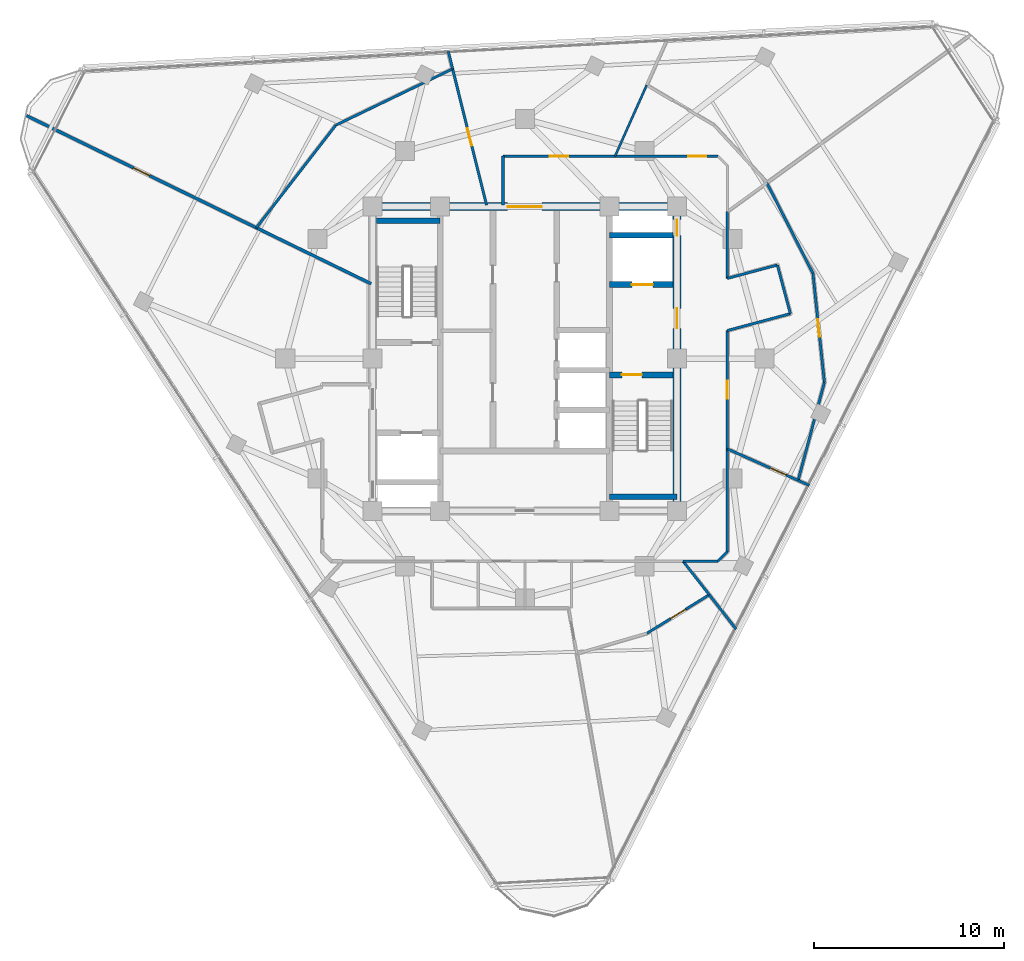
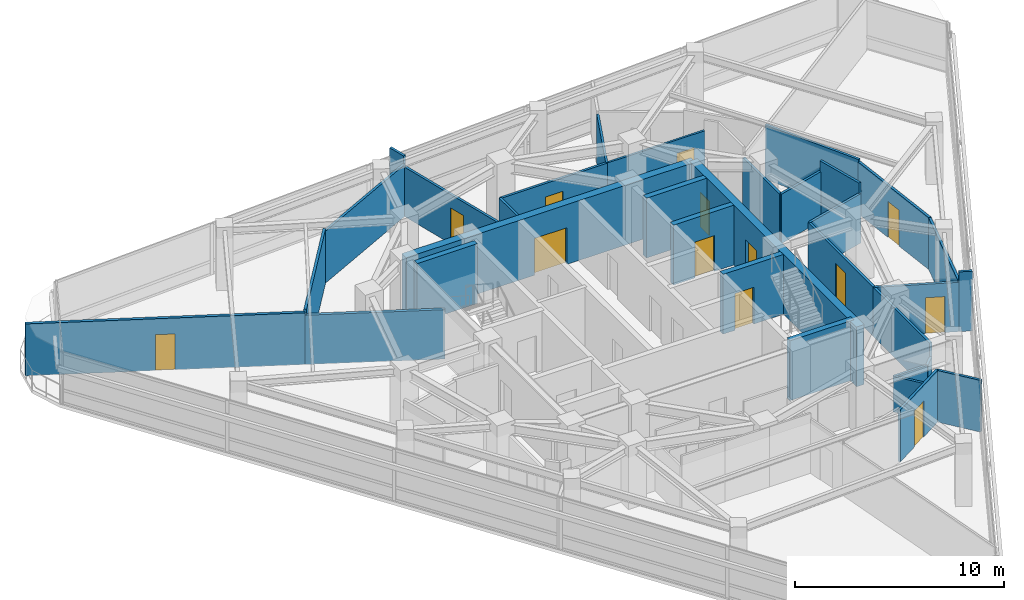
# One storey, part 9 of 15: 33 walls, 13 doors, 13 openings.
"""IFC4 building model written with IfcOpenShell, lengths in metres."""

import ifcopenshell
import ifcopenshell.guid

model = None  # the IFC model being written
_history = None  # IfcOwnerHistory: only IFC2X3 demands one
_inside = {}  # id of a spatial element -> (the spatial element, [elements in it])
_under = {}  # id of a project, library or spatial element -> (it, [spatial elements below it])
_declared = {}  # id of a project -> (the project, [libraries it declares])
_typed = {}  # id of a type object -> (the type object, [elements of that type])
_made_of = {}  # id of a material, layer set ... -> (it, [elements and type objects made of it])


def new_model(schema):
    """Start an empty IFC model of exactly this schema.

    Asked for "IFC4X3", IfcOpenShell would pick the latest addendum, in which some entities
    have other attributes; the version numbers below select the first issue.
    IFC2X3 requires an IfcOwnerHistory on every rooted entity: one is made here for all.
    """
    global model, _history
    if schema == "IFC4X3":
        model = ifcopenshell.file(schema_version=(4, 3, 0, 0))
    else:
        model = ifcopenshell.file(schema=schema)
    _inside.clear()
    _under.clear()
    _declared.clear()
    _typed.clear()
    _made_of.clear()
    _history = None
    if model.schema == "IFC2X3":
        org = make("IfcOrganization", Name="unknown")
        user = make(
            "IfcPersonAndOrganization",
            ThePerson=make("IfcPerson", FamilyName="unknown"),
            TheOrganization=org,
        )
        app = make(
            "IfcApplication",
            ApplicationDeveloper=org,
            Version="unknown",
            ApplicationFullName="unknown",
            ApplicationIdentifier="unknown",
        )
        _history = make(
            "IfcOwnerHistory",
            OwningUser=user,
            OwningApplication=app,
            ChangeAction="ADDED",
            CreationDate=0,
        )
    return model


def make(cls, **values):
    """One entity of the class cls with the attributes given. An attribute that is None is left unset."""
    return model.create_entity(
        cls, **{name: value for name, value in values.items() if value is not None}
    )


def rooted(cls, **values):
    """An entity with a GlobalId (a new one), such as an element, a storey or a relation."""
    return make(cls, GlobalId=ifcopenshell.guid.new(), OwnerHistory=_history, **values)


def si_unit(unit_type, name, prefix=None):
    """IfcSIUnit, for example si_unit("LENGTHUNIT", "METRE", prefix="MILLI")."""
    return make("IfcSIUnit", UnitType=unit_type, Prefix=prefix, Name=name)


def assignment(units):
    """IfcUnitAssignment: the units of a project."""
    return None if units is None else make("IfcUnitAssignment", Units=units)


def point(xyz):
    """IfcCartesianPoint."""
    return None if xyz is None else make("IfcCartesianPoint", Coordinates=xyz)


def direction(xyz):
    """IfcDirection."""
    return None if xyz is None else make("IfcDirection", DirectionRatios=xyz)


def frame(location, z_axis=None, x_axis=None):
    """IfcAxis2Placement3D, a coordinate frame: its origin and axes. An axis left out is left unset."""
    return make(
        "IfcAxis2Placement3D",
        Location=point(location),
        Axis=direction(z_axis),
        RefDirection=direction(x_axis),
    )


def frame_2d(location, x_axis=None):
    """IfcAxis2Placement2D, a coordinate frame in the plane: its origin and x axis."""
    return make(
        "IfcAxis2Placement2D", Location=point(location), RefDirection=direction(x_axis)
    )


def origin():
    """The frame at (0, 0, 0) with its axes left unset."""
    return frame((0.0, 0.0, 0.0))


def place(relative_to, where):
    """IfcLocalPlacement: puts the frame where relative to a parent placement (None: the world)."""
    return make(
        "IfcLocalPlacement", PlacementRelTo=relative_to, RelativePlacement=where
    )


def context(
    kind, dimensions, precision=None, world=None, true_north=None, identifier=None
):
    """IfcGeometricRepresentationContext, for example the 3D "Model" context."""
    return make(
        "IfcGeometricRepresentationContext",
        ContextIdentifier=identifier,
        ContextType=kind,
        CoordinateSpaceDimension=dimensions,
        Precision=precision,
        WorldCoordinateSystem=world,
        TrueNorth=true_north,
    )


def subcontext(parent, identifier, kind, view, scale=None):
    """IfcGeometricRepresentationSubContext, for example "Body" below "Model"."""
    return make(
        "IfcGeometricRepresentationSubContext",
        ContextIdentifier=identifier,
        ContextType=kind,
        ParentContext=parent,
        TargetScale=scale,
        TargetView=view,
    )


def project(units=None, contexts=None):
    """IfcProject with its units and contexts."""
    return rooted(
        "IfcProject",
        Name="project",
        RepresentationContexts=contexts,
        UnitsInContext=assignment(units),
    )


def spatial(cls, under=None, at=None, **own):
    """A site, building, storey or space (cls), placed at a placement, below another one or the project."""
    s = rooted(cls, ObjectPlacement=at, **own)
    if under is not None:
        _under.setdefault(under.id(), (under, []))[1].append(s)
    return s


def profile(cls, at=None, kind="AREA", **sizes):
    """A parametric profile (cls). Its sizes go by their IFC names, for example OverallWidth=200.0."""
    return make(cls, ProfileType=kind, Position=at, **sizes)


def rectangle(**sizes):
    """IfcRectangleProfileDef."""
    return profile("IfcRectangleProfileDef", **sizes)


def extrude(swept, where, along, depth):
    """IfcExtrudedAreaSolid: the profile swept, set in the frame where, extruded along a direction by depth."""
    return make(
        "IfcExtrudedAreaSolid",
        SweptArea=swept,
        Position=where,
        ExtrudedDirection=direction(along),
        Depth=depth,
    )


def shape(context_of_items, identifier, shape_type, items):
    """IfcShapeRepresentation: the items that make up one representation, for example the "Body"."""
    return make(
        "IfcShapeRepresentation",
        ContextOfItems=context_of_items,
        RepresentationIdentifier=identifier,
        RepresentationType=shape_type,
        Items=items,
    )


def material(Name=None, Category=None):
    """IfcMaterial."""
    return make("IfcMaterial", Name=Name, Category=Category)


def layer(
    of_material, thickness, ventilated=None, Name=None, Category=None, Priority=None
):
    """IfcMaterialLayer: one layer of a wall or slab, of a material (None: an air gap)."""
    return make(
        "IfcMaterialLayer",
        Material=of_material,
        LayerThickness=thickness,
        IsVentilated=ventilated,
        Name=Name,
        Category=Category,
        Priority=Priority,
    )


def layer_set(layers, Name=None):
    """IfcMaterialLayerSet."""
    return make("IfcMaterialLayerSet", MaterialLayers=layers, LayerSetName=Name)


def made_of(thing, what):
    """Note that an element or type object is made of a material, layer set ...; save() writes the relation."""
    if what is not None:
        _made_of.setdefault(what.id(), (what, []))[1].append(thing)
    return thing


def type_object(cls, material=None, **own):
    """A type object (cls), such as IfcWallType, which elements share."""
    return made_of(rooted(cls, **own), material)


def element(
    cls,
    number,
    at=None,
    inside=None,
    cuts=None,
    type_object=None,
    material=None,
    context=None,
    identifier="Body",
    shape_type=None,
    held_by="IfcProductDefinitionShape",
    body=None,
    shapes=None,
    **own,
):
    """One element of the class cls, such as IfcWall. Its Tag is "e" and its number.

    at: its placement. inside: the storey or other place that contains it. cuts: it is an
    opening in that element (IfcRelVoidsElement). A single representation is given by context,
    identifier, shape_type and body (its items); several are given by shapes. held_by: the class
    of the entity that holds the representations. save() writes the other relations.
    """
    e = rooted(cls, Tag="e%d" % number, ObjectPlacement=at, **own)
    if body is not None:
        shapes = [shape(context, identifier, shape_type, body)]
    if shapes is not None:
        e.Representation = make(held_by, Representations=shapes)
    if inside is not None:
        _inside.setdefault(inside.id(), (inside, []))[1].append(e)
    if cuts is not None:
        rooted(
            "IfcRelVoidsElement", RelatingBuildingElement=cuts, RelatedOpeningElement=e
        )
    if type_object is not None:
        _typed.setdefault(type_object.id(), (type_object, []))[1].append(e)
    return made_of(e, material)


def fill(opening, filler):
    """IfcRelFillsElement: the door or window that sits in an opening."""
    return rooted(
        "IfcRelFillsElement",
        RelatingOpeningElement=opening,
        RelatedBuildingElement=filler,
    )


def aggregate(whole, parts):
    """IfcRelAggregates: a whole, such as a stair, and the parts it consists of."""
    return rooted("IfcRelAggregates", RelatingObject=whole, RelatedObjects=parts)


def save(model, path):
    """Write the relations noted so far, then the file.

    IfcRelAggregates (storeys below a building ...), IfcRelContainedInSpatialStructure (elements
    in a storey), IfcRelDefinesByType, IfcRelAssociatesMaterial and IfcRelDeclares: one each for
    every whole, place, type object, material and project.
    """
    for whole, parts in _under.values():
        aggregate(whole, parts)
    for where, things in _inside.values():
        rooted(
            "IfcRelContainedInSpatialStructure",
            RelatedElements=things,
            RelatingStructure=where,
        )
    for kind, things in _typed.values():
        rooted("IfcRelDefinesByType", RelatedObjects=things, RelatingType=kind)
    for what, things in _made_of.values():
        rooted("IfcRelAssociatesMaterial", RelatedObjects=things, RelatingMaterial=what)
    for by, libraries in _declared.values():
        rooted("IfcRelDeclares", RelatingContext=by, RelatedDefinitions=libraries)
    model.write(path)


model = new_model("IFC4")

# Units and contexts
model_context = context("Model", 3, precision=1e-05, world=origin(), true_north=direction((0.0, 1.0)))
body_context = subcontext(model_context, "Body", "Model", "MODEL_VIEW")
ifc_project = project(units=[si_unit("LENGTHUNIT", "METRE"), si_unit("AREAUNIT", "SQUARE_METRE"), si_unit("VOLUMEUNIT", "CUBIC_METRE"), si_unit("PLANEANGLEUNIT", "RADIAN"), si_unit("MASSUNIT", "GRAM", prefix="KILO")], contexts=[model_context])

# Site, building, storey
site_placement = place(None, origin())
site = spatial("IfcSite", under=ifc_project, at=site_placement, CompositionType="ELEMENT")
building_placement = place(site_placement, origin())
building = spatial("IfcBuilding", under=site, at=building_placement, Name="Terralouvre Media Tower", CompositionType="ELEMENT")
storey_placement = place(building_placement, frame((0.0, 0.0, 248.5)))
storey = spatial("IfcBuildingStorey", under=building, at=storey_placement, Name="L64", CompositionType="ELEMENT", Elevation=248.5)

# Wall
ifc_material_1 = material(Name="Concrete C50/60", Category="concrete")
ifc_layer_1 = layer(ifc_material_1, 0.300048828125, Name="Core Internal Shaft Wall CW-300")
ifc_layer_set_1 = layer_set([ifc_layer_1], Name="Concrete C50/60")
wall_type_1 = type_object("IfcWallType", Name="Core Internal Shaft Wall CW-300", PredefinedType="SHEAR", material=ifc_layer_set_1)
wall_1_placement = place(storey_placement, frame((-7.7900390625, 7.260009765625, 0.0), z_axis=(0.0, 0.0, 1.0), x_axis=(1.0, 0.0, 0.0)))
element("IfcWall", 1, at=wall_1_placement, inside=storey, type_object=wall_type_1, Name="L64 Core Shaft Wall ST1F", PredefinedType="SHEAR", context=body_context, shape_type="SweptSolid", body=[
    extrude(rectangle(XDim=3.340087890625, YDim=0.300048828125, at=frame_2d((1.669921875, 0.0))), origin(), (0.0, 0.0, 1.0), 3.5),
])

# Wall, opening, door
wall_2_placement = place(storey_placement, frame((4.449951171875, -0.85009765625, 0.0), z_axis=(0.0, 0.0, 1.0), x_axis=(1.0, 0.0, 0.0)))
wall_2 = element("IfcWall", 2, at=wall_2_placement, inside=storey, type_object=wall_type_1, Name="L64 Core Shaft Wall ST2D", PredefinedType="SHEAR", context=body_context, shape_type="SweptSolid", body=[
    extrude(rectangle(XDim=3.340087890625, YDim=0.300048828125, at=frame_2d((1.669921875, 0.0))), origin(), (0.0, 0.0, 1.0), 3.5),
])
opening_1_placement = place(wall_2_placement, frame((0.64990234375, 0.0, 0.0)))
opening_1 = element("IfcOpeningElement", 3, at=opening_1_placement, cuts=wall_2, Name="Opening FD-01-105X215", PredefinedType="OPENING", context=body_context, shape_type="SweptSolid", body=[
    extrude(rectangle(XDim=1.050048828125, YDim=2.14990234375, at=frame_2d((0.52490234375, 1.074951171875))), frame((0.0, 0.159912109375, 0.0), z_axis=(0.0, -1.0, 0.0), x_axis=(1.0, 0.0, 0.0)), (0.0, 0.0, 1.0), 0.320068359375),
])
ifc_material_2 = material(Name="Galvanised steel fire-resisting leaf", Category="steel")
door_type_1 = type_object("IfcDoorType", Name="Stair and Firefighting Lobby Fire Door FD-01 (1050x2150)", OperationType="NOTDEFINED", PredefinedType="DOOR", material=ifc_material_2)
door_1_placement = place(opening_1_placement, origin())
door_1 = element("IfcDoor", 4, at=door_1_placement, inside=storey, type_object=door_type_1, Name="L64 ST-02 Exit Stair Door", OperationType="SINGLE_SWING_RIGHT", OverallHeight=2.14990234375, OverallWidth=1.050048828125, PredefinedType="DOOR", context=body_context, shape_type="SweptSolid", body=[
    extrude(rectangle(XDim=1.050048828125, YDim=2.14990234375, at=frame_2d((0.52490234375, 1.074951171875))), frame((0.0, 0.02490234375, 0.0), z_axis=(0.0, -1.0, 0.0), x_axis=(1.0, 0.0, 0.0)), (0.0, 0.0, 1.0), 0.050048828125),
])
fill(opening_1, door_1)

# Wall
wall_3_placement = place(storey_placement, frame((4.449951171875, -7.260009765625, 0.0), z_axis=(0.0, 0.0, 1.0), x_axis=(1.0, 0.0, 0.0)))
element("IfcWall", 5, at=wall_3_placement, inside=storey, type_object=wall_type_1, Name="L64 Core Shaft Wall ST2F", PredefinedType="SHEAR", context=body_context, shape_type="SweptSolid", body=[
    extrude(rectangle(XDim=3.550048828125, YDim=0.300048828125, at=frame_2d((1.77490234375, 0.0))), origin(), (0.0, 0.0, 1.0), 3.5),
])

# Wall, opening, door
wall_4_placement = place(storey_placement, frame((4.449951171875, 3.89990234375, 0.0), z_axis=(0.0, 0.0, 1.0), x_axis=(1.0, 0.0, 0.0)))
wall_4 = element("IfcWall", 6, at=wall_4_placement, inside=storey, type_object=wall_type_1, Name="L64 Core Shaft Wall FF2S", PredefinedType="SHEAR", context=body_context, shape_type="SweptSolid", body=[
    extrude(rectangle(XDim=3.340087890625, YDim=0.300048828125, at=frame_2d((1.669921875, 0.0))), origin(), (0.0, 0.0, 1.0), 3.5),
])
opening_2_placement = place(wall_4_placement, frame((1.179931640625, 0.0, 0.0)))
opening_2 = element("IfcOpeningElement", 7, at=opening_2_placement, cuts=wall_4, Name="Opening LD-FF", PredefinedType="OPENING", context=body_context, shape_type="SweptSolid", body=[
    extrude(rectangle(XDim=1.10009765625, YDim=2.10009765625, at=frame_2d((0.550048828125, 1.050048828125))), frame((0.0, 0.159912109375, 0.0), z_axis=(0.0, -1.0, 0.0), x_axis=(1.0, 0.0, 0.0)), (0.0, 0.0, 1.0), 0.320068359375),
])
ifc_material_3 = material(Name="Stainless steel 316 handrail and balustrade", Category="steel")
door_type_2 = type_object("IfcDoorType", Name="Firefighting Lift Sliding Landing Door LD-FF", OperationType="SLIDING_TO_LEFT", PredefinedType="DOOR", material=ifc_material_3)
door_2_placement = place(opening_2_placement, origin())
door_2 = element("IfcDoor", 8, at=door_2_placement, inside=storey, type_object=door_type_2, Name="L64 Firefighting Lift FFL-02 Landing Door", OperationType="SLIDING_TO_LEFT", OverallHeight=2.10009765625, OverallWidth=1.10009765625, PredefinedType="DOOR", context=body_context, shape_type="SweptSolid", body=[
    extrude(rectangle(XDim=1.10009765625, YDim=2.10009765625, at=frame_2d((0.550048828125, 1.050048828125))), frame((0.0, 0.02490234375, 0.0), z_axis=(0.0, -1.0, 0.0), x_axis=(1.0, 0.0, 0.0)), (0.0, 0.0, 1.0), 0.050048828125),
])
fill(opening_2, door_2)

# Wall
wall_5_placement = place(storey_placement, frame((4.449951171875, 6.5, 0.0), z_axis=(0.0, 0.0, 1.0), x_axis=(1.0, 0.0, 0.0)))
element("IfcWall", 9, at=wall_5_placement, inside=storey, type_object=wall_type_1, Name="L64 Core Shaft Wall FF2N", PredefinedType="SHEAR", context=body_context, shape_type="SweptSolid", body=[
    extrude(rectangle(XDim=3.340087890625, YDim=0.300048828125, at=frame_2d((1.669921875, 0.0))), origin(), (0.0, 0.0, 1.0), 3.5),
])

# Wall, openings, doors
ifc_material_4 = material(Name="Concrete C60/75", Category="concrete")
ifc_layer_2 = layer(ifc_material_4, 0.419921875, Name="Core Reinforced Concrete Shear Wall CW-420")
ifc_layer_set_2 = layer_set([ifc_layer_2], Name="Concrete C60/75")
wall_type_2 = type_object("IfcWallType", Name="Core Reinforced Concrete Shear Wall CW-420", PredefinedType="SHEAR", material=ifc_layer_set_2)
wall_6_placement = place(storey_placement, frame((8.0, -8.0, 0.0), z_axis=(0.0, 0.0, 1.0), x_axis=(0.0, 1.0, 0.0)))
wall_6 = element("IfcWall", 10, at=wall_6_placement, inside=storey, type_object=wall_type_2, Name="L64 E Core Shear Wall", PredefinedType="SHEAR", context=body_context, shape_type="SweptSolid", body=[
    extrude(rectangle(XDim=16.0, YDim=0.419921875, at=frame_2d((8.0, 0.0))), origin(), (0.0, 0.0, 1.0), 3.5),
])
opening_3_placement = place(wall_6_placement, frame((9.60009765625, 0.0, 0.0)))
opening_3 = element("IfcOpeningElement", 11, at=opening_3_placement, cuts=wall_6, Name="Opening FD-01-105X215", PredefinedType="OPENING", context=body_context, shape_type="SweptSolid", body=[
    extrude(rectangle(XDim=1.050048828125, YDim=2.14990234375, at=frame_2d((0.52490234375, 1.074951171875))), frame((0.0, 0.219970703125, 0.0), z_axis=(0.0, -1.0, 0.0), x_axis=(1.0, 0.0, 0.0)), (0.0, 0.0, 1.0), 0.43994140625),
])
opening_4_placement = place(wall_6_placement, frame((14.468994140625, 0.0, 0.0)))
opening_4 = element("IfcOpeningElement", 12, at=opening_4_placement, cuts=wall_6, Name="Opening TD-R1", PredefinedType="OPENING", context=body_context, shape_type="SweptSolid", body=[
    extrude(rectangle(XDim=0.85009765625, YDim=2.02001953125, at=frame_2d((0.425048828125, 1.010009765625))), frame((0.0, 0.219970703125, 0.0), z_axis=(0.0, -1.0, 0.0), x_axis=(1.0, 0.0, 0.0)), (0.0, 0.0, 1.0), 0.43994140625),
])
ifc_material_5 = material(Name="Galvanised steel fire-resisting leaf", Category="steel")
door_type_3 = type_object("IfcDoorType", Name="Riser Inspection Access Trapdoor TD-R1", OperationType="NOTDEFINED", PredefinedType="TRAPDOOR", material=ifc_material_5)
door_3_placement = place(opening_4_placement, origin())
door_3 = element("IfcDoor", 13, at=door_3_placement, inside=storey, type_object=door_type_3, Name="L64 East Comms Riser Access Trapdoor", OperationType="SINGLE_SWING_RIGHT", OverallHeight=2.02001953125, OverallWidth=0.85009765625, PredefinedType="TRAPDOOR", context=body_context, shape_type="SweptSolid", body=[
    extrude(rectangle(XDim=0.85009765625, YDim=2.02001953125, at=frame_2d((0.425048828125, 1.010009765625))), frame((0.0, 0.02490234375, 0.0), z_axis=(0.0, -1.0, 0.0), x_axis=(1.0, 0.0, 0.0)), (0.0, 0.0, 1.0), 0.050048828125),
])
fill(opening_4, door_3)
door_4_placement = place(opening_3_placement, origin())
door_4 = element("IfcDoor", 14, at=door_4_placement, inside=storey, type_object=door_type_1, Name="L64 East Firefighting Lobby Entry Door", OperationType="SINGLE_SWING_LEFT", OverallHeight=2.14990234375, OverallWidth=1.050048828125, PredefinedType="DOOR", context=body_context, shape_type="SweptSolid", body=[
    extrude(rectangle(XDim=1.050048828125, YDim=2.14990234375, at=frame_2d((0.52490234375, 1.074951171875))), frame((0.0, 0.02490234375, 0.0), z_axis=(0.0, -1.0, 0.0), x_axis=(1.0, 0.0, 0.0)), (0.0, 0.0, 1.0), 0.050048828125),
])
fill(opening_3, door_4)

# Wall, opening, door
wall_7_placement = place(storey_placement, frame((-8.0, 8.0, 0.0), z_axis=(0.0, 0.0, 1.0), x_axis=(1.0, 0.0, 0.0)))
wall_7 = element("IfcWall", 15, at=wall_7_placement, inside=storey, type_object=wall_type_2, Name="L64 N Core Shear Wall", PredefinedType="SHEAR", context=body_context, shape_type="SweptSolid", body=[
    extrude(rectangle(XDim=16.0, YDim=0.419921875, at=frame_2d((8.0, 0.0))), origin(), (0.0, 0.0, 1.0), 3.5),
])
opening_5_placement = place(wall_7_placement, frame((7.10009765625, 0.0, 0.0)))
opening_5 = element("IfcOpeningElement", 16, at=opening_5_placement, cuts=wall_7, Name="Opening FD-03", PredefinedType="OPENING", context=body_context, shape_type="SweptSolid", body=[
    extrude(rectangle(XDim=1.800048828125, YDim=2.14990234375, at=frame_2d((0.89990234375, 1.074951171875))), frame((0.0, 0.219970703125, 0.0), z_axis=(0.0, -1.0, 0.0), x_axis=(1.0, 0.0, 0.0)), (0.0, 0.0, 1.0), 0.43994140625),
])
ifc_material_6 = material(Name="Galvanised steel fire-resisting leaf", Category="steel")
door_type_4 = type_object("IfcDoorType", Name="Corridor Smoke-Control Double Door FD-03", OperationType="DOUBLE_DOOR_SINGLE_SWING", PredefinedType="DOOR", material=ifc_material_6)
door_5_placement = place(opening_5_placement, origin())
door_5 = element("IfcDoor", 17, at=door_5_placement, inside=storey, type_object=door_type_4, Name="L64 Central Lift Lobby Portal Door", OperationType="DOUBLE_DOOR_SINGLE_SWING", OverallHeight=2.14990234375, OverallWidth=1.800048828125, PredefinedType="DOOR", context=body_context, shape_type="SweptSolid", body=[
    extrude(rectangle(XDim=1.800048828125, YDim=2.14990234375, at=frame_2d((0.89990234375, 1.074951171875))), frame((0.0, 0.02490234375, 0.0), z_axis=(0.0, -1.0, 0.0), x_axis=(1.0, 0.0, 0.0)), (0.0, 0.0, 1.0), 0.050048828125),
])
fill(opening_5, door_5)

ifc_material_7 = material(Name="Fire-rated gypsum board drywall partition")
ifc_layer_3 = layer(ifc_material_7, 0.135009765625, Name="Newsroom Acoustic Partition PT-135")
ifc_layer_set_3 = layer_set([ifc_layer_3], Name="Fire-rated gypsum board drywall partition")
wall_type_3 = type_object("IfcWallType", Name="Newsroom Acoustic Partition PT-135", PredefinedType="PARTITIONING", material=ifc_layer_set_3)
wall_8_placement = place(storey_placement, frame((10.64990234375, -4.741943359375, 0.0), z_axis=(0.0, 0.0, 1.0), x_axis=(0.0, 1.0, 0.0)))
wall_8 = element("IfcWall", 18, at=wall_8_placement, inside=storey, type_object=wall_type_3, Name="L64 Interior Partition 008", PredefinedType="PARTITIONING", context=body_context, shape_type="SweptSolid", body=[
    extrude(rectangle(XDim=6.223876953125, YDim=0.135009765625, at=frame_2d((3.11181640625, 0.0))), origin(), (0.0, 0.0, 1.0), 2.885009765625),
])
opening_6_placement = place(wall_8_placement, frame((2.636962890625, 0.0, 0.0)))
opening_6 = element("IfcOpeningElement", 19, at=opening_6_placement, cuts=wall_8, Name="Opening ID-02-95X210", PredefinedType="OPENING", context=body_context, shape_type="SweptSolid", body=[
    extrude(rectangle(XDim=0.949951171875, YDim=2.10009765625, at=frame_2d((0.47509765625, 1.050048828125))), frame((0.0, 0.077392578125, 0.0), z_axis=(0.0, -1.0, 0.0), x_axis=(1.0, 0.0, 0.0)), (0.0, 0.0, 1.0), 0.155029296875),
])
ifc_material_8 = material(Name="Engineered hardwood acoustic timber leaf", Category="wood")
door_type_5 = type_object("IfcDoorType", Name="Office and Meeting Room Door ID-02 (950x2100)", OperationType="NOTDEFINED", PredefinedType="DOOR", material=ifc_material_8)
door_6_placement = place(opening_6_placement, origin())
door_6 = element("IfcDoor", 20, at=door_6_placement, inside=storey, type_object=door_type_5, Name="L64 Classical and Jazz Listening Library 2 Door", OperationType="SINGLE_SWING_LEFT", OverallHeight=2.10009765625, OverallWidth=0.949951171875, PredefinedType="DOOR", context=body_context, shape_type="SweptSolid", body=[
    extrude(rectangle(XDim=0.949951171875, YDim=2.10009765625, at=frame_2d((0.47509765625, 1.050048828125))), frame((0.0, 0.02490234375, 0.0), z_axis=(0.0, -1.0, 0.0), x_axis=(1.0, 0.0, 0.0)), (0.0, 0.0, 1.0), 0.050048828125),
])
fill(opening_6, door_6)

# Walls
wall_9_placement = place(storey_placement, frame((10.64990234375, 1.48193359375, 0.0), z_axis=(0.0, 0.0, 1.0), x_axis=(0.965961397105, 0.2586862565, 0.0)))
element("IfcWall", 21, at=wall_9_placement, inside=storey, type_object=wall_type_3, Name="L64 Interior Partition 009", PredefinedType="PARTITIONING", context=body_context, shape_type="SweptSolid", body=[
    extrude(rectangle(XDim=3.4287109375, YDim=0.135009765625, at=frame_2d((1.71435546875, 0.0))), origin(), (0.0, 0.0, 1.0), 2.885009765625),
])
wall_10_placement = place(storey_placement, frame((13.9619140625, 2.368896484375, 0.0), z_axis=(0.0, 0.0, 1.0), x_axis=(-0.258413725385, 0.966034340245, 0.0)))
element("IfcWall", 22, at=wall_10_placement, inside=storey, type_object=wall_type_3, Name="L64 Interior Partition 010", PredefinedType="PARTITIONING", context=body_context, shape_type="SweptSolid", body=[
    extrude(rectangle(XDim=2.650146484375, YDim=0.135009765625, at=frame_2d((1.3251953125, 0.0))), origin(), (0.0, 0.0, 1.0), 3.5),
])
wall_11_placement = place(storey_placement, frame((13.277099609375, 4.928955078125, 0.0), z_axis=(0.0, 0.0, 1.0), x_axis=(-0.965934830229, -0.258785439601, 0.0)))
element("IfcWall", 23, at=wall_11_placement, inside=storey, type_object=wall_type_3, Name="L64 Interior Partition 011", PredefinedType="PARTITIONING", context=body_context, shape_type="SweptSolid", body=[
    extrude(rectangle(XDim=2.719970703125, YDim=0.135009765625, at=frame_2d((1.35986328125, 0.0))), origin(), (0.0, 0.0, 1.0), 2.885009765625),
])
wall_12_placement = place(storey_placement, frame((10.64990234375, 4.22509765625, 0.0), z_axis=(0.0, 0.0, 1.0), x_axis=(0.0, 1.0, 0.0)))
element("IfcWall", 24, at=wall_12_placement, inside=storey, type_object=wall_type_3, Name="L64 Interior Partition 012", PredefinedType="PARTITIONING", context=body_context, shape_type="SweptSolid", body=[
    extrude(rectangle(XDim=3.512939453125, YDim=0.135009765625, at=frame_2d((1.75634765625, 0.0))), origin(), (0.0, 0.0, 1.0), 2.885009765625),
])
wall_13_placement = place(storey_placement, frame((8.321044921875, -10.64990234375, 0.0), z_axis=(0.0, 0.0, 1.0), x_axis=(1.0, 0.0, 0.0)))
element("IfcWall", 25, at=wall_13_placement, inside=storey, type_object=wall_type_3, Name="L64 Interior Partition 018", PredefinedType="PARTITIONING", context=body_context, shape_type="SweptSolid", body=[
    extrude(rectangle(XDim=1.828857421875, YDim=0.135009765625, at=frame_2d((0.91455078125, 0.0))), origin(), (0.0, 0.0, 1.0), 2.074951171875),
])
wall_14_placement = place(storey_placement, frame((10.14990234375, -10.64990234375, 0.0), z_axis=(0.0, 0.0, 1.0), x_axis=(0.707106781187, 0.707106781187, 0.0)))
element("IfcWall", 26, at=wall_14_placement, inside=storey, type_object=wall_type_3, Name="L64 Interior Partition 019", PredefinedType="PARTITIONING", context=body_context, shape_type="SweptSolid", body=[
    extrude(rectangle(XDim=0.70703125, YDim=0.135009765625, at=frame_2d((0.353515625, 0.0))), origin(), (0.0, 0.0, 1.0), 2.074951171875),
])
wall_15_placement = place(storey_placement, frame((10.64990234375, -10.14990234375, 0.0), z_axis=(0.0, 0.0, 1.0), x_axis=(0.0, 1.0, 0.0)))
element("IfcWall", 27, at=wall_15_placement, inside=storey, type_object=wall_type_3, Name="L64 Interior Partition 020", PredefinedType="PARTITIONING", context=body_context, shape_type="SweptSolid", body=[
    extrude(rectangle(XDim=5.407958984375, YDim=0.135009765625, at=frame_2d((2.7041015625, 0.0))), origin(), (0.0, 0.0, 1.0), 2.885009765625),
])

# Wall, opening, door
wall_16_placement = place(storey_placement, frame((4.741943359375, 10.64990234375, 0.0), z_axis=(0.0, 0.0, 1.0), x_axis=(-1.0, 0.0, 0.0)))
wall_16 = element("IfcWall", 28, at=wall_16_placement, inside=storey, type_object=wall_type_3, Name="L64 Interior Partition 024", PredefinedType="PARTITIONING", context=body_context, shape_type="SweptSolid", body=[
    extrude(rectangle(XDim=5.891845703125, YDim=0.135009765625, at=frame_2d((2.94580078125, 0.0))), origin(), (0.0, 0.0, 1.0), 2.885009765625),
])
opening_7_placement = place(wall_16_placement, frame((2.470947265625, 0.0, 0.0)))
opening_7 = element("IfcOpeningElement", 29, at=opening_7_placement, cuts=wall_16, Name="Opening ID-02-95X210", PredefinedType="OPENING", context=body_context, shape_type="SweptSolid", body=[
    extrude(rectangle(XDim=0.949951171875, YDim=2.10009765625, at=frame_2d((0.47509765625, 1.050048828125))), frame((0.0, 0.077392578125, 0.0), z_axis=(0.0, -1.0, 0.0), x_axis=(1.0, 0.0, 0.0)), (0.0, 0.0, 1.0), 0.155029296875),
])
door_7_placement = place(opening_7_placement, origin())
door_7 = element("IfcDoor", 30, at=door_7_placement, inside=storey, type_object=door_type_5, Name="L64 Manuscript Rare Archive Storage 10 Door", OperationType="SINGLE_SWING_LEFT", OverallHeight=2.10009765625, OverallWidth=0.949951171875, PredefinedType="DOOR", context=body_context, shape_type="SweptSolid", body=[
    extrude(rectangle(XDim=0.949951171875, YDim=2.10009765625, at=frame_2d((0.47509765625, 1.050048828125))), frame((0.0, 0.02490234375, 0.0), z_axis=(0.0, -1.0, 0.0), x_axis=(1.0, 0.0, 0.0)), (0.0, 0.0, 1.0), 0.050048828125),
])
fill(opening_7, door_7)

# Wall
wall_17_placement = place(storey_placement, frame((-1.14990234375, 10.64990234375, 0.0), z_axis=(0.0, 0.0, 1.0), x_axis=(0.0, -1.0, 0.0)))
element("IfcWall", 31, at=wall_17_placement, inside=storey, type_object=wall_type_3, Name="L64 Interior Partition 025", PredefinedType="PARTITIONING", context=body_context, shape_type="SweptSolid", body=[
    extrude(rectangle(XDim=2.56982421875, YDim=0.135009765625, at=frame_2d((1.284912109375, 0.0))), origin(), (0.0, 0.0, 1.0), 2.885009765625),
])

# Wall, opening, door
wall_18_placement = place(storey_placement, frame((10.64990234375, -4.741943359375, 0.0), z_axis=(0.0, 0.0, 1.0), x_axis=(0.913526929547, -0.406778255309, 0.0)))
wall_18 = element("IfcWall", 32, at=wall_18_placement, inside=storey, type_object=wall_type_3, Name="L64 Interior Partition 029", PredefinedType="PARTITIONING", context=body_context, shape_type="SweptSolid", body=[
    extrude(rectangle(XDim=4.071044921875, YDim=0.135009765625, at=frame_2d((2.03564453125, 0.0))), origin(), (0.0, 0.0, 1.0), 2.885009765625),
])
opening_8_placement = place(wall_18_placement, frame((2.47119140625, 0.0, 0.0)))
opening_8 = element("IfcOpeningElement", 33, at=opening_8_placement, cuts=wall_18, Name="Opening ID-03-92X210", PredefinedType="OPENING", context=body_context, shape_type="SweptSolid", body=[
    extrude(rectangle(XDim=0.919921875, YDim=2.10009765625, at=frame_2d((0.4599609375, 1.050048828125))), frame((0.0, 0.077392578125, 0.0), z_axis=(0.0, -1.0, 0.0), x_axis=(1.0, 0.0, 0.0)), (0.0, 0.0, 1.0), 0.155029296875),
])
ifc_material_9 = material(Name="Engineered hardwood acoustic timber leaf", Category="wood")
door_type_6 = type_object("IfcDoorType", Name="Accessible Restroom and Suite Door ID-03 (920x2100)", OperationType="NOTDEFINED", PredefinedType="DOOR", material=ifc_material_9)
door_8_placement = place(opening_8_placement, origin())
door_8 = element("IfcDoor", 34, at=door_8_placement, inside=storey, type_object=door_type_6, Name="L64 Literary Salon Lounge 6 Door", OperationType="SINGLE_SWING_RIGHT", OverallHeight=2.10009765625, OverallWidth=0.919921875, PredefinedType="DOOR", context=body_context, shape_type="SweptSolid", body=[
    extrude(rectangle(XDim=0.919921875, YDim=2.10009765625, at=frame_2d((0.4599609375, 1.050048828125))), frame((0.0, 0.02490234375, 0.0), z_axis=(0.0, -1.0, 0.0), x_axis=(1.0, 0.0, 0.0)), (0.0, 0.0, 1.0), 0.050048828125),
])
fill(opening_8, door_8)

# Wall
wall_19_placement = place(storey_placement, frame((14.368896484375, -6.39794921875, 0.0), z_axis=(0.0, 0.0, 1.0), x_axis=(0.258820640976, 0.965925398675, 0.0)))
element("IfcWall", 35, at=wall_19_placement, inside=storey, type_object=wall_type_3, Name="L64 Interior Partition 030", PredefinedType="PARTITIONING", context=body_context, shape_type="SweptSolid", body=[
    extrude(rectangle(XDim=5.33984375, YDim=0.135009765625, at=frame_2d((2.669921875, 0.0))), origin(), (0.0, 0.0, 1.0), 3.02490234375),
])

# Wall, opening, door
wall_20_placement = place(storey_placement, frame((15.7509765625, -1.239990234375, 0.0), z_axis=(0.0, 0.0, 1.0), x_axis=(-0.104547955553, 0.994519846453, 0.0)))
wall_20 = element("IfcWall", 36, at=wall_20_placement, inside=storey, type_object=wall_type_3, Name="L64 Interior Partition 031", PredefinedType="PARTITIONING", context=body_context, shape_type="SweptSolid", body=[
    extrude(rectangle(XDim=5.758544921875, YDim=0.135009765625, at=frame_2d((2.87939453125, 0.0))), origin(), (0.0, 0.0, 1.0), 3.034912109375),
])
opening_9_placement = place(wall_20_placement, frame((2.419189453125, 0.0, 0.0)))
opening_9 = element("IfcOpeningElement", 37, at=opening_9_placement, cuts=wall_20, Name="Opening ID-03-92X210", PredefinedType="OPENING", context=body_context, shape_type="SweptSolid", body=[
    extrude(rectangle(XDim=0.919921875, YDim=2.10009765625, at=frame_2d((0.4599609375, 1.050048828125))), frame((0.0, 0.077392578125, 0.0), z_axis=(0.0, -1.0, 0.0), x_axis=(1.0, 0.0, 0.0)), (0.0, 0.0, 1.0), 0.155029296875),
])
door_9_placement = place(opening_9_placement, origin())
door_9 = element("IfcDoor", 38, at=door_9_placement, inside=storey, type_object=door_type_6, Name="L64 Chamber Rehearsal Creative Workshop 7 Door", OperationType="SINGLE_SWING_LEFT", OverallHeight=2.10009765625, OverallWidth=0.919921875, PredefinedType="DOOR", context=body_context, shape_type="SweptSolid", body=[
    extrude(rectangle(XDim=0.919921875, YDim=2.10009765625, at=frame_2d((0.4599609375, 1.050048828125))), frame((0.0, 0.02490234375, 0.0), z_axis=(0.0, -1.0, 0.0), x_axis=(1.0, 0.0, 0.0)), (0.0, 0.0, 1.0), 0.050048828125),
])
fill(opening_9, door_9)

# Wall
wall_21_placement = place(storey_placement, frame((15.14892578125, 4.487060546875, 0.0), z_axis=(0.0, 0.0, 1.0), x_axis=(-0.453912768225, 0.891046126102, 0.0)))
element("IfcWall", 39, at=wall_21_placement, inside=storey, type_object=wall_type_3, Name="L64 Interior Partition 032", PredefinedType="PARTITIONING", context=body_context, shape_type="SweptSolid", body=[
    extrude(rectangle(XDim=5.33984375, YDim=0.135009765625, at=frame_2d((2.669921875, 0.0))), origin(), (0.0, 0.0, 1.0), 3.18505859375),
])

# Wall, opening, door
wall_22_placement = place(storey_placement, frame((9.696044921875, -12.410888671875, 0.0), z_axis=(0.0, 0.0, 1.0), x_axis=(-0.850393663863, -0.526146953295, 0.0)))
wall_22 = element("IfcWall", 40, at=wall_22_placement, inside=storey, type_object=wall_type_3, Name="L64 Interior Partition 043", PredefinedType="PARTITIONING", context=body_context, shape_type="SweptSolid", body=[
    extrude(rectangle(XDim=3.84521484375, YDim=0.135009765625, at=frame_2d((1.922607421875, 0.0))), origin(), (0.0, 0.0, 1.0), 3.034912109375),
])
opening_10_placement = place(wall_22_placement, frame((1.462646484375, 0.0, 0.0)))
opening_10 = element("IfcOpeningElement", 41, at=opening_10_placement, cuts=wall_22, Name="Opening ID-03-92X210", PredefinedType="OPENING", context=body_context, shape_type="SweptSolid", body=[
    extrude(rectangle(XDim=0.919921875, YDim=2.10009765625, at=frame_2d((0.4599609375, 1.050048828125))), frame((0.0, 0.077392578125, 0.0), z_axis=(0.0, -1.0, 0.0), x_axis=(1.0, 0.0, 0.0)), (0.0, 0.0, 1.0), 0.155029296875),
])
door_10_placement = place(opening_10_placement, origin())
door_10 = element("IfcDoor", 42, at=door_10_placement, inside=storey, type_object=door_type_6, Name="L64 Cultural Quarterly Editorial Office 4 Door", OperationType="SINGLE_SWING_LEFT", OverallHeight=2.10009765625, OverallWidth=0.919921875, PredefinedType="DOOR", context=body_context, shape_type="SweptSolid", body=[
    extrude(rectangle(XDim=0.919921875, YDim=2.10009765625, at=frame_2d((0.4599609375, 1.050048828125))), frame((0.0, 0.02490234375, 0.0), z_axis=(0.0, -1.0, 0.0), x_axis=(1.0, 0.0, 0.0)), (0.0, 0.0, 1.0), 0.050048828125),
])
fill(opening_10, door_10)

# Walls
wall_23_placement = place(storey_placement, frame((11.1083984375, -14.21826171875, 0.0), z_axis=(0.0, 0.0, 1.0), x_axis=(-0.615736984334, 0.787951753677, 0.0)))
element("IfcWall", 43, at=wall_23_placement, inside=storey, type_object=wall_type_3, Name="L64 Interior Partition 045", PredefinedType="PARTITIONING", context=body_context, shape_type="SweptSolid", body=[
    extrude(rectangle(XDim=2.293701171875, YDim=0.135009765625, at=frame_2d((1.14697265625, 0.0))), origin(), (0.0, 0.0, 1.0), 3.02490234375),
])
wall_24_placement = place(storey_placement, frame((9.696044921875, -12.410888671875, 0.0), z_axis=(0.0, 0.0, 1.0), x_axis=(-0.615429845305, 0.788191668002, 0.0)))
element("IfcWall", 44, at=wall_24_placement, inside=storey, type_object=wall_type_3, Name="L64 Interior Partition 046", PredefinedType="PARTITIONING", context=body_context, shape_type="SweptSolid", body=[
    extrude(rectangle(XDim=2.234130859375, YDim=0.135009765625, at=frame_2d((1.1171875, 0.0))), origin(), (0.0, 0.0, 1.0), 2.074951171875),
])
wall_25_placement = place(storey_placement, frame((14.95947265625, -6.66015625, 0.0), z_axis=(0.0, 0.0, 1.0), x_axis=(-0.913967286969, 0.405787873586, 0.0)))
element("IfcWall", 45, at=wall_25_placement, inside=storey, type_object=wall_type_3, Name="L64 Interior Partition 047", PredefinedType="PARTITIONING", context=body_context, shape_type="SweptSolid", body=[
    extrude(rectangle(XDim=0.646240234375, YDim=0.135009765625, at=frame_2d((0.3232421875, 0.0))), origin(), (0.0, 0.0, 1.0), 3.489990234375),
])

# Wall, opening, door
wall_26_placement = place(storey_placement, frame((-3.800048828125, 15.241943359375, 0.0), z_axis=(0.0, 0.0, 1.0), x_axis=(0.241889603588, -0.970303777008, 0.0)))
wall_26 = element("IfcWall", 46, at=wall_26_placement, inside=storey, type_object=wall_type_3, Name="L64 Interior Partition 053", PredefinedType="PARTITIONING", context=body_context, shape_type="SweptSolid", body=[
    extrude(rectangle(XDim=7.381103515625, YDim=0.135009765625, at=frame_2d((3.6904296875, 0.0))), origin(), (0.0, 0.0, 1.0), 2.885009765625),
])
opening_11_placement = place(wall_26_placement, frame((3.230712890625, 0.0, 0.0)))
opening_11 = element("IfcOpeningElement", 47, at=opening_11_placement, cuts=wall_26, Name="Opening ID-03-92X210", PredefinedType="OPENING", context=body_context, shape_type="SweptSolid", body=[
    extrude(rectangle(XDim=0.919921875, YDim=2.10009765625, at=frame_2d((0.4599609375, 1.050048828125))), frame((0.0, 0.077392578125, 0.0), z_axis=(0.0, -1.0, 0.0), x_axis=(1.0, 0.0, 0.0)), (0.0, 0.0, 1.0), 0.155029296875),
])
door_11_placement = place(opening_11_placement, origin())
door_11 = element("IfcDoor", 48, at=door_11_placement, inside=storey, type_object=door_type_6, Name="L64 Print Proof Closet 11 Door", OperationType="SINGLE_SWING_LEFT", OverallHeight=2.10009765625, OverallWidth=0.919921875, PredefinedType="DOOR", context=body_context, shape_type="SweptSolid", body=[
    extrude(rectangle(XDim=0.919921875, YDim=2.10009765625, at=frame_2d((0.4599609375, 1.050048828125))), frame((0.0, 0.02490234375, 0.0), z_axis=(0.0, -1.0, 0.0), x_axis=(1.0, 0.0, 0.0)), (0.0, 0.0, 1.0), 0.050048828125),
])
fill(opening_11, door_11)

# Walls
wall_27_placement = place(storey_placement, frame((-4.02978515625, 16.163818359375, 0.0), z_axis=(0.0, 0.0, 1.0), x_axis=(0.241809991188, -0.970323620326, 0.0)))
element("IfcWall", 49, at=wall_27_placement, inside=storey, type_object=wall_type_3, Name="L64 Interior Partition 054", PredefinedType="PARTITIONING", context=body_context, shape_type="SweptSolid", body=[
    extrude(rectangle(XDim=0.949951171875, YDim=0.135009765625, at=frame_2d((0.47509765625, 0.0))), origin(), (0.0, 0.0, 1.0), 3.5),
])
wall_28_placement = place(storey_placement, frame((-3.800048828125, 15.241943359375, 0.0), z_axis=(0.0, 0.0, 1.0), x_axis=(-0.900708156853, -0.434424695635, 0.0)))
element("IfcWall", 50, at=wall_28_placement, inside=storey, type_object=wall_type_3, Name="L64 Interior Partition 055", PredefinedType="PARTITIONING", context=body_context, shape_type="SweptSolid", body=[
    extrude(rectangle(XDim=6.8203125, YDim=0.135009765625, at=frame_2d((3.41015625, 0.0))), origin(), (0.0, 0.0, 1.0), 3.034912109375),
])
wall_29_placement = place(storey_placement, frame((-9.943115234375, 12.279052734375, 0.0), z_axis=(0.0, 0.0, 1.0), x_axis=(-0.612219395693, -0.790687935621, 0.0)))
element("IfcWall", 51, at=wall_29_placement, inside=storey, type_object=wall_type_3, Name="L64 Interior Partition 056", PredefinedType="PARTITIONING", context=body_context, shape_type="SweptSolid", body=[
    extrude(rectangle(XDim=6.82080078125, YDim=0.135009765625, at=frame_2d((3.410400390625, 0.0))), origin(), (0.0, 0.0, 1.0), 3.18505859375),
])

# Wall, opening, door
ifc_material_10 = material(Name="Fire-rated gypsum board drywall partition")
ifc_layer_4 = layer(ifc_material_10, 0.114990234375, Name="Restroom and Pantry Partition PT-115")
ifc_layer_set_4 = layer_set([ifc_layer_4], Name="Fire-rated gypsum board drywall partition")
wall_type_4 = type_object("IfcWallType", Name="Restroom and Pantry Partition PT-115", PredefinedType="PARTITIONING", material=ifc_layer_set_4)
wall_30_placement = place(storey_placement, frame((10.14990234375, 10.64990234375, 0.0), z_axis=(0.0, 0.0, 1.0), x_axis=(-1.0, 0.0, 0.0)))
wall_30 = element("IfcWall", 52, at=wall_30_placement, inside=storey, type_object=wall_type_4, Name="L64 Interior Partition 023", PredefinedType="PARTITIONING", context=body_context, shape_type="SweptSolid", body=[
    extrude(rectangle(XDim=5.407958984375, YDim=0.114990234375, at=frame_2d((2.7041015625, 0.0))), origin(), (0.0, 0.0, 1.0), 2.885009765625),
])
opening_12_placement = place(wall_30_placement, frame((0.606689453125, 0.0, 0.0)))
opening_12 = element("IfcOpeningElement", 53, at=opening_12_placement, cuts=wall_30, Name="Opening SD-01-95X210", PredefinedType="OPENING", context=body_context, shape_type="SweptSolid", body=[
    extrude(rectangle(XDim=0.949951171875, YDim=2.10009765625, at=frame_2d((0.47509765625, 1.050048828125))), frame((0.0, 0.0673828125, 0.0), z_axis=(0.0, -1.0, 0.0), x_axis=(1.0, 0.0, 0.0)), (0.0, 0.0, 1.0), 0.135009765625),
])
ifc_material_11 = material(Name="Anodised extruded aluminium 6063-T6", Category="aluminium")
door_type_7 = type_object("IfcDoorType", Name="Pantry Pocket Sliding Door SD-01 (950x2100)", OperationType="SLIDING_TO_LEFT", PredefinedType="DOOR", material=ifc_material_11)
door_12_placement = place(opening_12_placement, origin())
door_12 = element("IfcDoor", 54, at=door_12_placement, inside=storey, type_object=door_type_7, Name="L64 Salon Tea and Pastry Kitchen 9 Door", OperationType="SLIDING_TO_LEFT", OverallHeight=2.10009765625, OverallWidth=0.949951171875, PredefinedType="DOOR", context=body_context, shape_type="SweptSolid", body=[
    extrude(rectangle(XDim=0.949951171875, YDim=2.10009765625, at=frame_2d((0.47509765625, 1.050048828125))), frame((0.0, 0.02490234375, 0.0), z_axis=(0.0, -1.0, 0.0), x_axis=(1.0, 0.0, 0.0)), (0.0, 0.0, 1.0), 0.050048828125),
])
fill(opening_12, door_12)

# Walls
wall_31_placement = place(storey_placement, frame((6.404052734375, 14.384033203125, 0.0), z_axis=(0.0, 0.0, 1.0), x_axis=(-0.406648271104, -0.913584798258, 0.0)))
element("IfcWall", 55, at=wall_31_placement, inside=storey, type_object=wall_type_4, Name="L64 Interior Partition 052", PredefinedType="PARTITIONING", context=body_context, shape_type="SweptSolid", body=[
    extrude(rectangle(XDim=4.08740234375, YDim=0.114990234375, at=frame_2d((2.043701171875, 0.0))), origin(), (0.0, 0.0, 1.0), 2.885009765625),
])
ifc_material_12 = material(Name="Fire-rated gypsum board drywall partition")
ifc_layer_5 = layer(ifc_material_12, 0.159912109375, Name="Studio Acoustic Rated Partition PT-160")
ifc_layer_set_5 = layer_set([ifc_layer_5], Name="Fire-rated gypsum board drywall partition")
wall_type_5 = type_object("IfcWallType", Name="Studio Acoustic Rated Partition PT-160", PredefinedType="PARTITIONING", material=ifc_layer_set_5)
wall_32_placement = place(storey_placement, frame((-8.080078125, 3.940673828125, 0.0), z_axis=(0.0, 0.0, 1.0), x_axis=(-0.898794985177, 0.438369221798, 0.0)))
element("IfcWall", 56, at=wall_32_placement, inside=storey, type_object=wall_type_5, Name="L64 Interior Partition 027", PredefinedType="PARTITIONING", context=body_context, shape_type="SweptSolid", body=[
    extrude(rectangle(XDim=6.71875, YDim=0.159912109375, at=frame_2d((3.359375, 0.0))), origin(), (0.0, 0.0, 1.0), 2.885009765625),
])

# Wall, opening, door
wall_33_placement = place(storey_placement, frame((-14.118896484375, 6.885986328125, 0.0), z_axis=(0.0, 0.0, 1.0), x_axis=(-0.898768620199, 0.438423274184, 0.0)))
wall_33 = element("IfcWall", 57, at=wall_33_placement, inside=storey, type_object=wall_type_5, Name="L64 Interior Partition 028", PredefinedType="PARTITIONING", context=body_context, shape_type="SweptSolid", body=[
    extrude(rectangle(XDim=13.442138671875, YDim=0.159912109375, at=frame_2d((6.72119140625, 0.0))), origin(), (0.0, 0.0, 1.0), 3.034912109375),
])
opening_13_placement = place(wall_33_placement, frame((6.260986328125, 0.0, 0.0)))
opening_13 = element("IfcOpeningElement", 58, at=opening_13_placement, cuts=wall_33, Name="Opening ID-03-92X210", PredefinedType="OPENING", context=body_context, shape_type="SweptSolid", body=[
    extrude(rectangle(XDim=0.919921875, YDim=2.10009765625, at=frame_2d((0.4599609375, 1.050048828125))), frame((0.0, 0.08984375, 0.0), z_axis=(0.0, -1.0, 0.0), x_axis=(1.0, 0.0, 0.0)), (0.0, 0.0, 1.0), 0.179931640625),
])
door_13_placement = place(opening_13_placement, origin())
door_13 = element("IfcDoor", 59, at=door_13_placement, inside=storey, type_object=door_type_6, Name="L64 Arts Guest Reception 12 Door", OperationType="SINGLE_SWING_RIGHT", OverallHeight=2.10009765625, OverallWidth=0.919921875, PredefinedType="DOOR", context=body_context, shape_type="SweptSolid", body=[
    extrude(rectangle(XDim=0.919921875, YDim=2.10009765625, at=frame_2d((0.4599609375, 1.050048828125))), frame((0.0, 0.02490234375, 0.0), z_axis=(0.0, -1.0, 0.0), x_axis=(1.0, 0.0, 0.0)), (0.0, 0.0, 1.0), 0.050048828125),
])
fill(opening_13, door_13)

save(model, "model.ifc")
